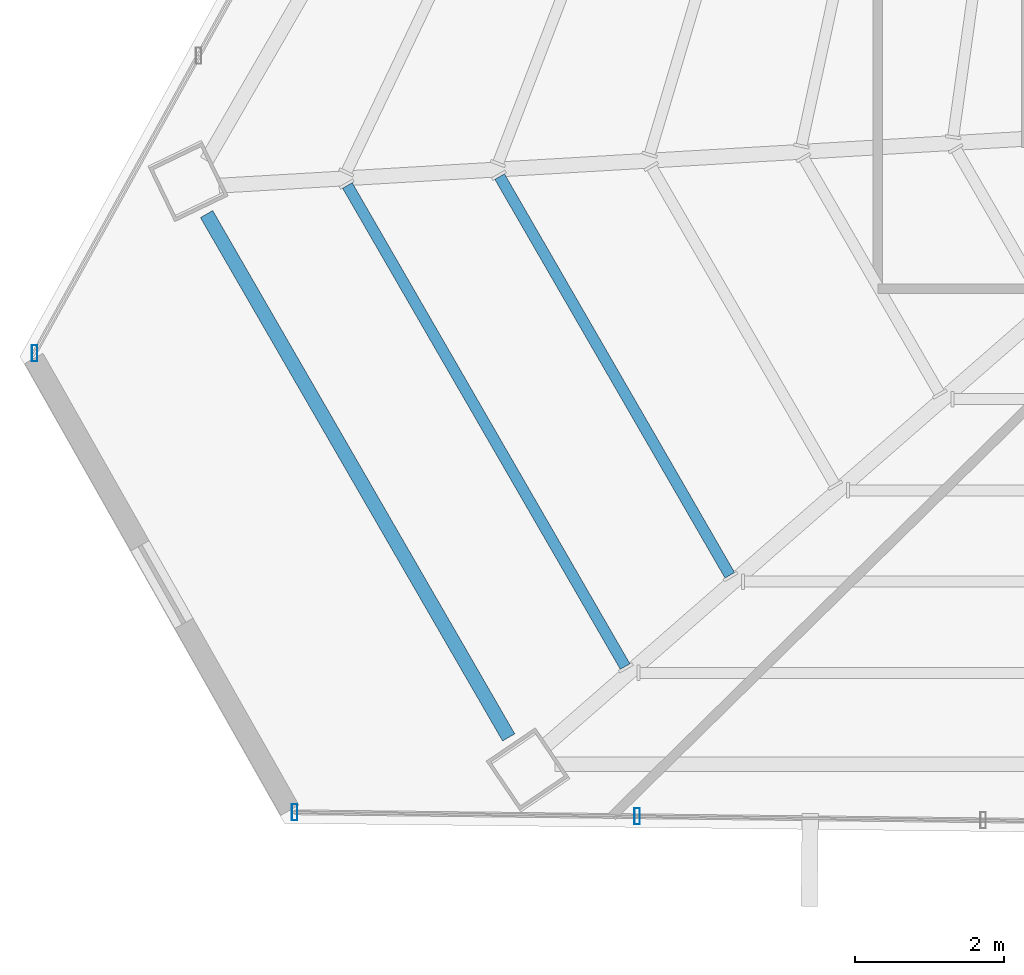
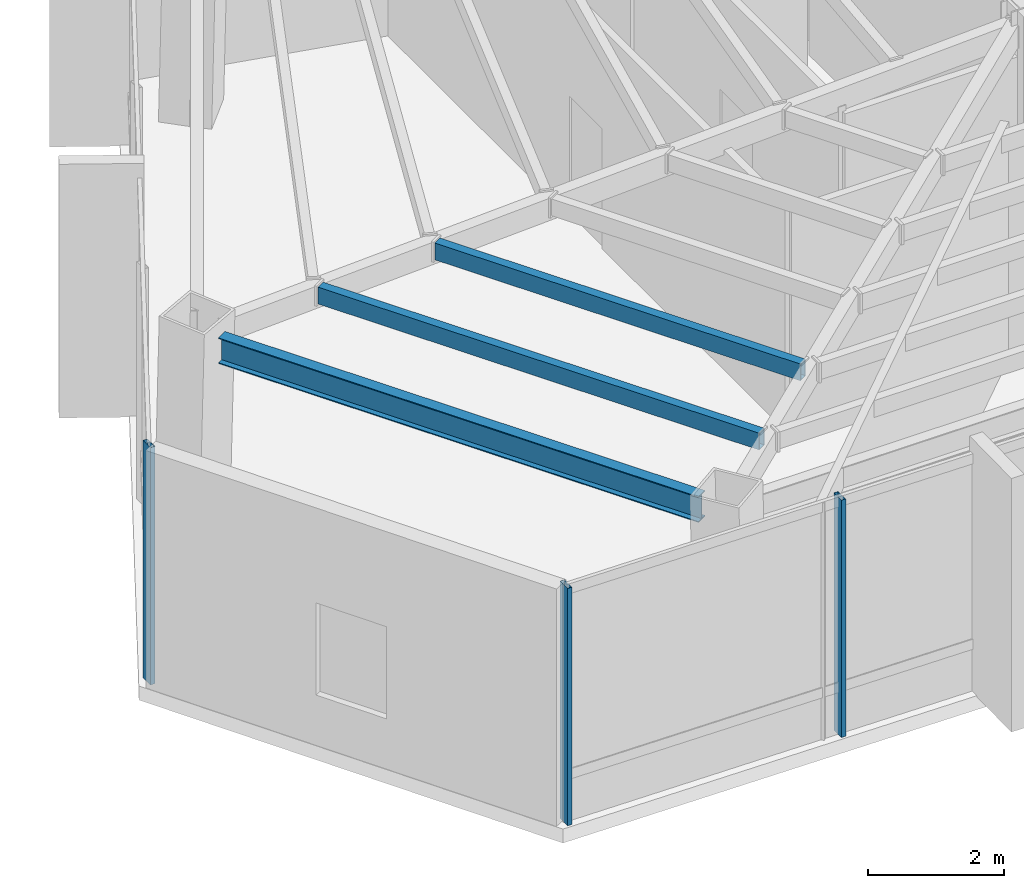
# One storey, part 3 of 37: 3 beams, 3 members, 2 elements without a shape of their own.
"""IFC4 building model written with IfcOpenShell, lengths in metres."""

from ifc_helpers import new_model, si_unit, direction, frame, origin, origin_2d, place, context, subcontext, project, spatial, hollow_rectangle, i_section, extrude, source, transform, mapped, material, material_profile, profile_set, type_object, type_shapes, element, aggregate, save


model = new_model("IFC4")

# Units and contexts
model_context = context("Model", 3, precision=1e-05, world=origin(), true_north=direction((0.0, 1.0)))
body_context = subcontext(model_context, "Body", "Model", "MODEL_VIEW")
ifc_project = project(units=[si_unit("LENGTHUNIT", "METRE"), si_unit("AREAUNIT", "SQUARE_METRE"), si_unit("VOLUMEUNIT", "CUBIC_METRE"), si_unit("PLANEANGLEUNIT", "RADIAN"), si_unit("MASSUNIT", "GRAM", prefix="KILO")], contexts=[model_context])

# Site, building, storey
site_placement = place(None, origin())
site = spatial("IfcSite", under=ifc_project, at=site_placement, CompositionType="ELEMENT")
building_placement = place(site_placement, origin())
building = spatial("IfcBuilding", under=site, at=building_placement, Name="Caelisora Broadcast Tower", CompositionType="ELEMENT")
storey_placement = place(building_placement, frame((0.0, 0.0, 225.35009765625)))
storey = spatial("IfcBuildingStorey", under=building, at=storey_placement, Name="L59", CompositionType="ELEMENT", Elevation=225.35009765625)

# Beams
ifc_material_1 = material(Name="Steel Grade 350 (AS/NZS 3679.1)", Category="steel")
ifc_material_profile_1 = material_profile(ifc_material_1, i_section(OverallWidth=0.19091796875, OverallDepth=0.46044921875, WebThickness=0.010009765625, FlangeThickness=0.01611328125, at=origin_2d()), Name="Steel Grade 350 (AS/NZS 3679.1)")
ifc_profile_set_1 = profile_set([ifc_material_profile_1], Name="Steel Grade 350 (AS/NZS 3679.1)")
beam_type_1 = type_object("IfcBeamType", Name="PG06", PredefinedType="BEAM", material=ifc_profile_set_1)
shared_shape_1 = source(origin(), body_context, "Body", "SweptSolid", [
    extrude(i_section(OverallWidth=0.19091796875, OverallDepth=0.46044921875, WebThickness=0.010009765625, FlangeThickness=0.01611328125, at=origin_2d()), origin(), (0.0, 0.0, 1.0), 8.12841796875),
])
type_shapes(beam_type_1, [shared_shape_1])
beam_1_placement = place(storey_placement, frame((16.37158203125, 16.205810546875, 4.019775390625), z_axis=(0.499992844251, -0.866029535119, 0.0), x_axis=(0.866029535119, 0.499992844251, 0.0)))
element("IfcBeam", 1, at=beam_1_placement, inside=storey, type_object=beam_type_1, Name="L59 beam PG06", PredefinedType="BEAM", context=body_context, shape_type="MappedRepresentation", body=[
    mapped(shared_shape_1, transform((0.0, 0.0, 0.0), scale=1.0)),
])
ifc_material_2 = material(Name="Steel Grade 350 (AS/NZS 1163 C350L0)", Category="steel")
ifc_material_profile_2 = material_profile(ifc_material_2, hollow_rectangle(XDim=0.14990234375, YDim=0.300048828125, WallThickness=0.010009765625, at=origin_2d()), Name="Steel Grade 350 (AS/NZS 1163 C350L0)")
ifc_profile_set_2 = profile_set([ifc_material_profile_2], Name="Steel Grade 350 (AS/NZS 1163 C350L0)")
beam_type_2 = type_object("IfcBeamType", Name="SB05", PredefinedType="JOIST", material=ifc_profile_set_2)
shared_shape_2 = source(origin(), body_context, "Body", "SweptSolid", [
    extrude(hollow_rectangle(XDim=0.14990234375, YDim=0.300048828125, WallThickness=0.010009765625, at=origin_2d()), origin(), (0.0, 0.0, 1.0), 6.1923828125),
])
beam_2_placement = place(storey_placement, frame((20.314208984375, 16.7099609375, 4.099853515625), z_axis=(0.499997752344, -0.866026701465, 0.0), x_axis=(0.866026701465, 0.499997752344, 0.0)))
element("IfcBeam", 2, at=beam_2_placement, inside=storey, type_object=beam_type_2, Name="L59 beam SB05", PredefinedType="JOIST", context=body_context, shape_type="MappedRepresentation", body=[
    mapped(shared_shape_2, transform((0.0, 0.0, 0.0), scale=1.0)),
])
shared_shape_3 = source(origin(), body_context, "Body", "SweptSolid", [
    extrude(hollow_rectangle(XDim=0.14990234375, YDim=0.300048828125, WallThickness=0.010009765625, at=origin_2d()), origin(), (0.0, 0.0, 1.0), 7.472412109375),
])
type_shapes(beam_type_2, [shared_shape_2, shared_shape_3])
beam_3_placement = place(storey_placement, frame((18.26611328125, 16.5908203125, 4.099853515625), z_axis=(0.499979818719, -0.866037055139, 0.0), x_axis=(0.866037055139, 0.499979818719, 0.0)))
element("IfcBeam", 3, at=beam_3_placement, inside=storey, type_object=beam_type_2, Name="L59 beam SB05", PredefinedType="JOIST", context=body_context, shape_type="MappedRepresentation", body=[
    mapped(shared_shape_3, transform((0.0, 0.0, 0.0), scale=1.0)),
])

# Curtain wall, members
ifc_material_3 = material(Name="Unitised Aluminium and Low-E Glass Curtain Wall", Category="glass")
curtain_wall_type = type_object("IfcCurtainWallType", Name="CW-SKY", PredefinedType="NOTDEFINED", material=ifc_material_3)
curtain_wall_1_placement = place(storey_placement, origin())
curtain_wall_1 = element("IfcCurtainWall", 4, at=curtain_wall_1_placement, inside=storey, type_object=curtain_wall_type, Name="L59 curtain wall CW-SKY", PredefinedType="NOTDEFINED")
ifc_material_4 = material(Name="Aluminium 6063-T6 Anodised Terracotta Bronze", Category="aluminium")
ifc_material_profile_3 = material_profile(ifc_material_4, hollow_rectangle(XDim=0.074951171875, YDim=0.219970703125, WallThickness=0.00390625, at=origin_2d()), Name="Aluminium 6063-T6 Anodised Terracotta Bronze")
ifc_profile_set_3 = profile_set([ifc_material_profile_3], Name="Aluminium 6063-T6 Anodised Terracotta Bronze")
member_type = type_object("IfcMemberType", Name="CWM-01", PredefinedType="MULLION", material=ifc_profile_set_3)
shared_shape_4 = source(origin(), body_context, "Body", "SweptSolid", [
    extrude(hollow_rectangle(XDim=0.074951171875, YDim=0.219970703125, WallThickness=0.00390625, at=origin_2d()), origin(), (0.0, 0.0, 1.0), 4.25),
])
type_shapes(member_type, [shared_shape_4])
member_1_placement = place(storey_placement, frame((22.161865234375, 8.10595703125, 0.0), z_axis=(0.0, 0.0, 1.0), x_axis=(1.0, 0.0, 0.0)))
member_1 = element("IfcMember", 5, at=member_1_placement, type_object=member_type, Name="L59-CW-B07 mullion #2", PredefinedType="MULLION", context=body_context, shape_type="MappedRepresentation", body=[
    mapped(shared_shape_4, transform((0.0, 0.0, 0.0), scale=1.0)),
])
member_2_placement = place(storey_placement, frame((17.556884765625, 8.159423828125, 0.0), z_axis=(0.0, 0.0, 1.0), x_axis=(1.0, 0.0, 0.0)))
member_2 = element("IfcMember", 6, at=member_2_placement, type_object=member_type, Name="L59-CW-B07 mullion #3", PredefinedType="MULLION", context=body_context, shape_type="MappedRepresentation", body=[
    mapped(shared_shape_4, transform((0.0, 0.0, 0.0), scale=1.0)),
])
aggregate(curtain_wall_1, [member_1, member_2])

# Curtain wall, member
curtain_wall_2_placement = place(storey_placement, origin())
curtain_wall_2 = element("IfcCurtainWall", 7, at=curtain_wall_2_placement, inside=storey, type_object=curtain_wall_type, Name="L59 curtain wall CW-SKY", PredefinedType="NOTDEFINED")
member_3_placement = place(storey_placement, frame((14.05810546875, 14.334716796875, 0.0), z_axis=(0.0, 0.0, 1.0), x_axis=(1.0, 0.0, 0.0)))
member_3 = element("IfcMember", 8, at=member_3_placement, type_object=member_type, Name="L59-CW-B09 mullion #0", PredefinedType="MULLION", context=body_context, shape_type="MappedRepresentation", body=[
    mapped(shared_shape_4, transform((0.0, 0.0, 0.0), scale=1.0)),
])
aggregate(curtain_wall_2, [member_3])

save(model, "model.ifc")
